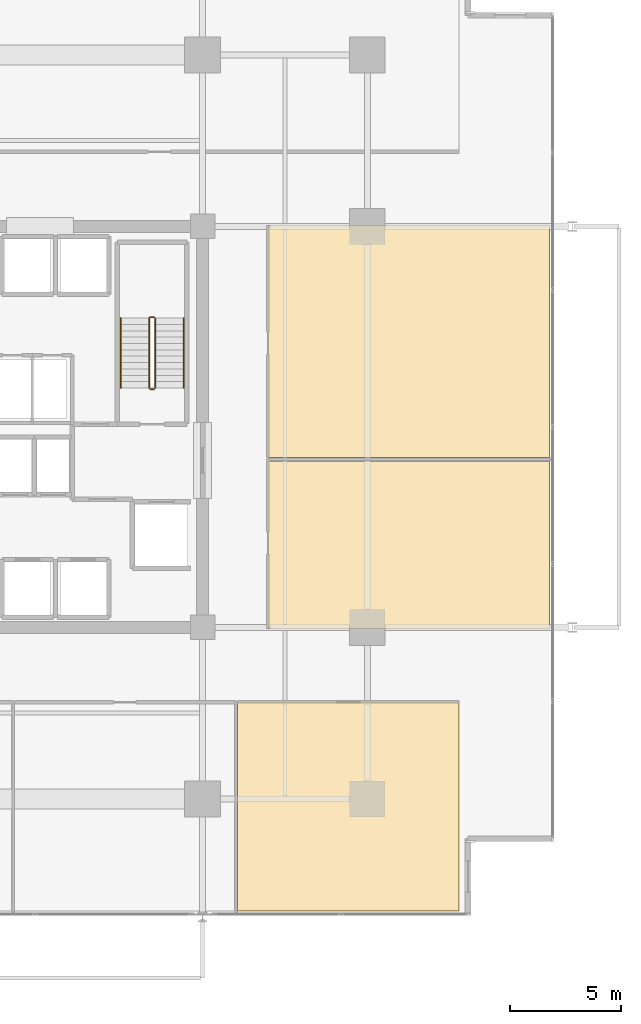
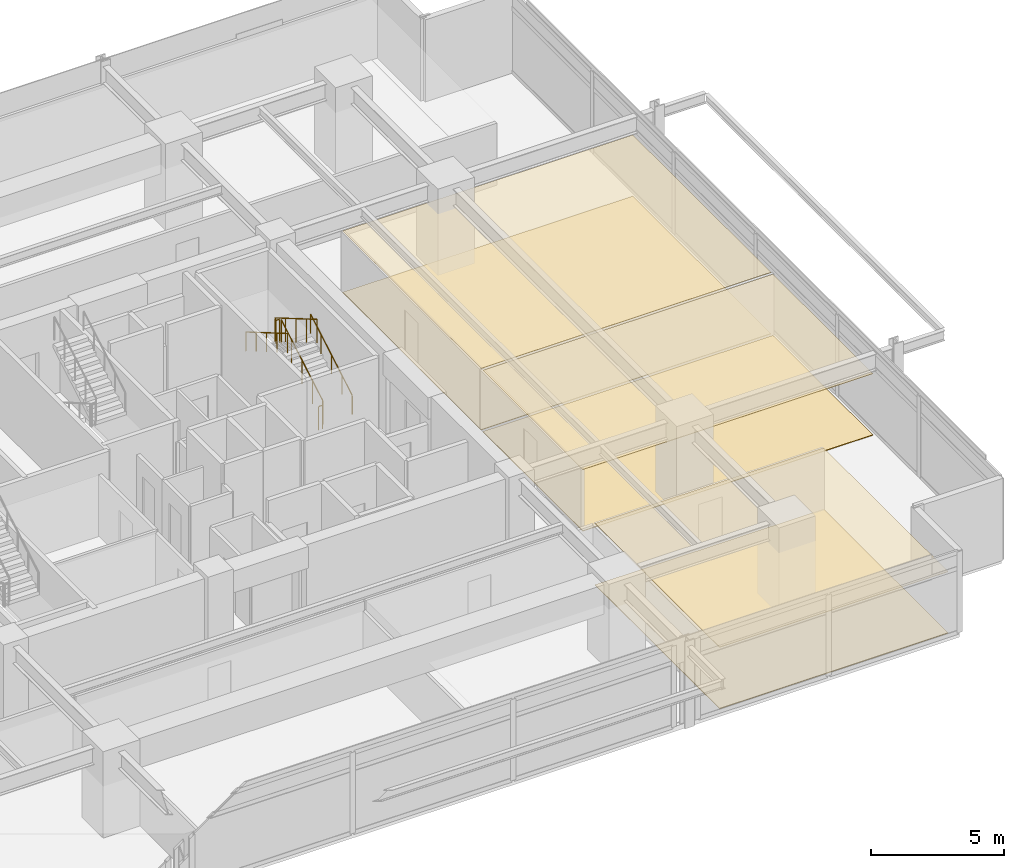
# One storey, part 22 of 23: 6 coverings, 6 railings.
"""IFC4 building model written with IfcOpenShell, lengths in metres."""

from ifc_helpers import new_model, si_unit, direction, frame, origin, origin_2d, place, context, subcontext, project, spatial, polyline, circle, outline, extrude, material, layer, layer_set, type_object, element, save


model = new_model("IFC4")

# Units and contexts
model_context = context("Model", 3, precision=1e-05, world=origin(), true_north=direction((0.0, 1.0)))
body_context = subcontext(model_context, "Body", "Model", "MODEL_VIEW")
ifc_project = project(units=[si_unit("LENGTHUNIT", "METRE"), si_unit("AREAUNIT", "SQUARE_METRE"), si_unit("VOLUMEUNIT", "CUBIC_METRE"), si_unit("PLANEANGLEUNIT", "RADIAN"), si_unit("MASSUNIT", "GRAM", prefix="KILO")], contexts=[model_context])

# Site, building, storey
site_placement = place(None, origin())
site = spatial("IfcSite", under=ifc_project, at=site_placement, CompositionType="ELEMENT")
building_placement = place(site_placement, origin())
building = spatial("IfcBuilding", under=site, at=building_placement, Name="Kovane Verandah Tower", CompositionType="ELEMENT")
storey_placement = place(building_placement, frame((0.0, 0.0, 168.39990234375)))
storey = spatial("IfcBuildingStorey", under=building, at=storey_placement, Name="L39", CompositionType="ELEMENT", Elevation=168.39990234375)

# Coverings
ifc_material_1 = material(Name="Perforated Acoustic Mineral-Fibre Ceiling Tile", Category="gypsum")
ifc_layer_1 = layer(ifc_material_1, 0.02490234375)
ifc_layer_set_1 = layer_set([ifc_layer_1], Name="Perforated Acoustic Mineral-Fibre Ceiling Tile")
covering_type_1 = type_object("IfcCoveringType", Name="CV-CEIL-25", PredefinedType="CEILING", material=ifc_layer_set_1)
covering_1_placement = place(storey_placement, frame((0.0, 0.0, 2.8251953125)))
element("IfcCovering", 1, at=covering_1_placement, inside=storey, type_object=covering_type_1, Name="L39 Executive Office S4 Acoustic Ceiling", PredefinedType="CEILING", context=body_context, shape_type="SweptSolid", body=[
    extrude(outline(polyline([(52.57958984375, 5.767822265625), (62.519775390625, 5.767822265625), (62.519775390625, 15.14990234375), (52.57958984375, 15.14990234375), (52.57958984375, 5.767822265625)])), origin(), (0.0, 0.0, 1.0), 0.02490234375),
])
covering_2_placement = place(storey_placement, frame((0.0, 0.0, 2.8251953125)))
element("IfcCovering", 2, at=covering_2_placement, inside=storey, type_object=covering_type_1, Name="L39 Breakout Pantry E1 Acoustic Ceiling", PredefinedType="CEILING", context=body_context, shape_type="SweptSolid", body=[
    extrude(outline(polyline([(53.949951171875, 18.449951171875), (66.56982421875, 18.449951171875), (66.56982421875, 25.98193359375), (53.949951171875, 25.98193359375), (53.949951171875, 18.449951171875)])), origin(), (0.0, 0.0, 1.0), 0.02490234375),
])
covering_3_placement = place(storey_placement, frame((0.0, 0.0, 2.8251953125)))
element("IfcCovering", 3, at=covering_3_placement, inside=storey, type_object=covering_type_1, Name="L39 Collaboration Hub E2 Acoustic Ceiling", PredefinedType="CEILING", context=body_context, shape_type="SweptSolid", body=[
    extrude(outline(polyline([(53.949951171875, 26.1220703125), (66.56982421875, 26.1220703125), (66.56982421875, 36.550048828125), (53.949951171875, 36.550048828125), (53.949951171875, 26.1220703125)])), origin(), (0.0, 0.0, 1.0), 0.02490234375),
])
ifc_material_2 = material(Name="Polished Terrazzo and Raised-Access Carpet Tile Finish", Category="concrete")
ifc_layer_2 = layer(ifc_material_2, 0.030029296875)
ifc_layer_set_2 = layer_set([ifc_layer_2], Name="Polished Terrazzo and Raised-Access Carpet Tile Finish")
covering_type_2 = type_object("IfcCoveringType", Name="CV-FLOR-30", PredefinedType="FLOORING", material=ifc_layer_set_2)
covering_4_placement = place(storey_placement, origin())
element("IfcCovering", 4, at=covering_4_placement, inside=storey, type_object=covering_type_2, Name="L39 Executive Office S4 Floor Finish", PredefinedType="FLOORING", context=body_context, shape_type="SweptSolid", body=[
    extrude(outline(polyline([(52.57958984375, 5.767822265625), (62.519775390625, 5.767822265625), (62.519775390625, 15.14990234375), (52.57958984375, 15.14990234375), (52.57958984375, 5.767822265625)])), origin(), (0.0, 0.0, 1.0), 0.030029296875),
])
covering_5_placement = place(storey_placement, origin())
element("IfcCovering", 5, at=covering_5_placement, inside=storey, type_object=covering_type_2, Name="L39 Breakout Pantry E1 Floor Finish", PredefinedType="FLOORING", context=body_context, shape_type="SweptSolid", body=[
    extrude(outline(polyline([(53.949951171875, 18.449951171875), (66.56982421875, 18.449951171875), (66.56982421875, 25.98193359375), (53.949951171875, 25.98193359375), (53.949951171875, 18.449951171875)])), origin(), (0.0, 0.0, 1.0), 0.030029296875),
])
covering_6_placement = place(storey_placement, origin())
element("IfcCovering", 6, at=covering_6_placement, inside=storey, type_object=covering_type_2, Name="L39 Collaboration Hub E2 Floor Finish", PredefinedType="FLOORING", context=body_context, shape_type="SweptSolid", body=[
    extrude(outline(polyline([(53.949951171875, 26.1220703125), (66.56982421875, 26.1220703125), (66.56982421875, 36.550048828125), (53.949951171875, 36.550048828125), (53.949951171875, 26.1220703125)])), origin(), (0.0, 0.0, 1.0), 0.030029296875),
])

# Railings
ifc_material_3 = material(Name="Brushed Stainless Steel Handrail", Category="steel")
railing_type_1 = type_object("IfcRailingType", Name="RL-HAND-920", PredefinedType="HANDRAIL", material=ifc_material_3)
railing_1_placement = place(storey_placement, frame((50.14990234375, 29.25, 0.166748046875)))
element("IfcRailing", 7, at=railing_1_placement, inside=storey, type_object=railing_type_1, Name="L39 ST-02 stair handrail 1", PredefinedType="HANDRAIL", context=body_context, shape_type="SweptSolid", body=[
    extrude(circle(Radius=0.02392578125, at=origin_2d()), frame((0.0, 0.0, 0.8759765625), z_axis=(0.0, 0.863239559939, 0.504794475164), x_axis=(-1.0, 0.0, 0.0)), (0.0, 0.0, 1.0), 3.631591796875),
    extrude(circle(Radius=0.02099609375, at=origin_2d()), origin(), (0.0, 0.0, 1.0), 0.851806640625),
    extrude(circle(Radius=0.02099609375, at=origin_2d()), frame((0.0, 0.78369140625, 0.458251953125)), (0.0, 0.0, 1.0), 0.851806640625),
    extrude(circle(Radius=0.02099609375, at=origin_2d()), frame((0.0, 1.5673828125, 0.91650390625)), (0.0, 0.0, 1.0), 0.851806640625),
    extrude(circle(Radius=0.02099609375, at=origin_2d()), frame((0.0, 2.351318359375, 1.375)), (0.0, 0.0, 1.0), 0.851806640625),
    extrude(circle(Radius=0.02099609375, at=origin_2d()), frame((0.0, 3.135009765625, 1.833251953125)), (0.0, 0.0, 1.0), 0.851806640625),
])
railing_2_placement = place(storey_placement, frame((47.330078125, 32.385009765625, 2.166748046875)))
element("IfcRailing", 8, at=railing_2_placement, inside=storey, type_object=railing_type_1, Name="L39 ST-02 stair handrail 2", PredefinedType="HANDRAIL", context=body_context, shape_type="SweptSolid", body=[
    extrude(circle(Radius=0.02392578125, at=origin_2d()), frame((0.0, 0.0, 0.8759765625), z_axis=(0.0, -0.863239559939, 0.504794475164), x_axis=(1.0, 0.0, 0.0)), (0.0, 0.0, 1.0), 3.631591796875),
    extrude(circle(Radius=0.02099609375, at=origin_2d()), origin(), (0.0, 0.0, 1.0), 0.851806640625),
    extrude(circle(Radius=0.02099609375, at=origin_2d()), frame((0.0, -0.78369140625, 0.458251953125)), (0.0, 0.0, 1.0), 0.851806640625),
    extrude(circle(Radius=0.02099609375, at=origin_2d()), frame((0.0, -1.5673828125, 0.91650390625)), (0.0, 0.0, 1.0), 0.851806640625),
    extrude(circle(Radius=0.02099609375, at=origin_2d()), frame((0.0, -2.351318359375, 1.375)), (0.0, 0.0, 1.0), 0.851806640625),
    extrude(circle(Radius=0.02099609375, at=origin_2d()), frame((0.0, -3.135009765625, 1.833251953125)), (0.0, 0.0, 1.0), 0.851806640625),
])
ifc_material_4 = material(Name="Painted Steel Stairwell Guardrail", Category="steel")
railing_type_2 = type_object("IfcRailingType", Name="RL-STGUARD-1120", PredefinedType="GUARDRAIL", material=ifc_material_4)
railing_3_placement = place(storey_placement, frame((48.8701171875, 29.25, 0.166748046875)))
element("IfcRailing", 9, at=railing_3_placement, inside=storey, type_object=railing_type_2, Name="L39 ST-02 stair guard 1", PredefinedType="GUARDRAIL", context=body_context, shape_type="SweptSolid", body=[
    extrude(circle(Radius=0.02392578125, at=origin_2d()), frame((0.0, 0.0, 1.076171875), z_axis=(0.0, 0.863239559939, 0.504794475164), x_axis=(-1.0, 0.0, 0.0)), (0.0, 0.0, 1.0), 3.631591796875),
    extrude(circle(Radius=0.02099609375, at=origin_2d()), origin(), (0.0, 0.0, 1.0), 1.052001953125),
    extrude(circle(Radius=0.02099609375, at=origin_2d()), frame((0.0, 0.78369140625, 0.458251953125)), (0.0, 0.0, 1.0), 1.052001953125),
    extrude(circle(Radius=0.02099609375, at=origin_2d()), frame((0.0, 1.5673828125, 0.91650390625)), (0.0, 0.0, 1.0), 1.052001953125),
    extrude(circle(Radius=0.02099609375, at=origin_2d()), frame((0.0, 2.351318359375, 1.375)), (0.0, 0.0, 1.0), 1.052001953125),
    extrude(circle(Radius=0.02099609375, at=origin_2d()), frame((0.0, 3.135009765625, 1.833251953125)), (0.0, 0.0, 1.0), 1.052001953125),
])
railing_4_placement = place(storey_placement, frame((48.820068359375, 32.43505859375, 2.0)))
element("IfcRailing", 10, at=railing_4_placement, inside=storey, type_object=railing_type_2, Name="L39 ST-02 stair guard 2", PredefinedType="GUARDRAIL", context=body_context, shape_type="SweptSolid", body=[
    extrude(circle(Radius=0.02392578125, at=origin_2d()), frame((0.0, 0.0, 1.076171875), z_axis=(-1.0, 0.0, 0.0), x_axis=(0.0, -1.0, 0.0)), (0.0, 0.0, 1.0), 0.16015625),
    extrude(circle(Radius=0.02099609375, at=origin_2d()), origin(), (0.0, 0.0, 1.0), 1.052001953125),
    extrude(circle(Radius=0.02099609375, at=origin_2d()), frame((-0.16015625, 0.0, 0.0)), (0.0, 0.0, 1.0), 1.052001953125),
])
railing_5_placement = place(storey_placement, frame((48.610107421875, 32.385009765625, 2.166748046875)))
element("IfcRailing", 11, at=railing_5_placement, inside=storey, type_object=railing_type_2, Name="L39 ST-02 stair guard 3", PredefinedType="GUARDRAIL", context=body_context, shape_type="SweptSolid", body=[
    extrude(circle(Radius=0.02392578125, at=origin_2d()), frame((0.0, 0.0, 1.076171875), z_axis=(0.0, -0.863239559939, 0.504794475164), x_axis=(1.0, 0.0, 0.0)), (0.0, 0.0, 1.0), 3.631591796875),
    extrude(circle(Radius=0.02099609375, at=origin_2d()), origin(), (0.0, 0.0, 1.0), 1.052001953125),
    extrude(circle(Radius=0.02099609375, at=origin_2d()), frame((0.0, -0.78369140625, 0.458251953125)), (0.0, 0.0, 1.0), 1.052001953125),
    extrude(circle(Radius=0.02099609375, at=origin_2d()), frame((0.0, -1.5673828125, 0.91650390625)), (0.0, 0.0, 1.0), 1.052001953125),
    extrude(circle(Radius=0.02099609375, at=origin_2d()), frame((0.0, -2.351318359375, 1.375)), (0.0, 0.0, 1.0), 1.052001953125),
    extrude(circle(Radius=0.02099609375, at=origin_2d()), frame((0.0, -3.135009765625, 1.833251953125)), (0.0, 0.0, 1.0), 1.052001953125),
])
railing_6_placement = place(storey_placement, frame((48.820068359375, 29.199951171875, 0.0)))
element("IfcRailing", 12, at=railing_6_placement, inside=storey, type_object=railing_type_2, Name="L39 ST-02 stair guard 4", PredefinedType="GUARDRAIL", context=body_context, shape_type="SweptSolid", body=[
    extrude(circle(Radius=0.02392578125, at=origin_2d()), frame((0.0, 0.0, 1.076171875), z_axis=(-1.0, 0.0, 0.0), x_axis=(0.0, -1.0, 0.0)), (0.0, 0.0, 1.0), 0.16015625),
    extrude(circle(Radius=0.02099609375, at=origin_2d()), origin(), (0.0, 0.0, 1.0), 1.052001953125),
    extrude(circle(Radius=0.02099609375, at=origin_2d()), frame((-0.16015625, 0.0, 0.0)), (0.0, 0.0, 1.0), 1.052001953125),
])

save(model, "model.ifc")
